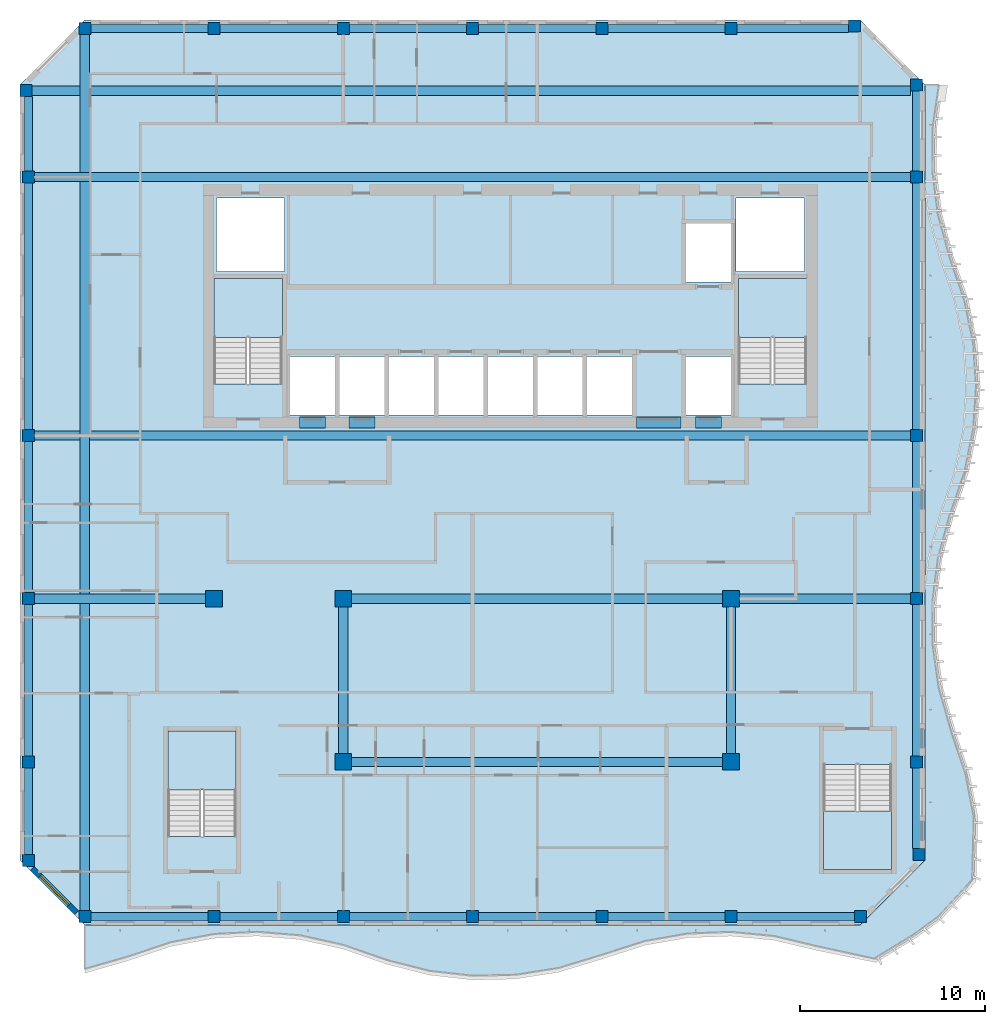
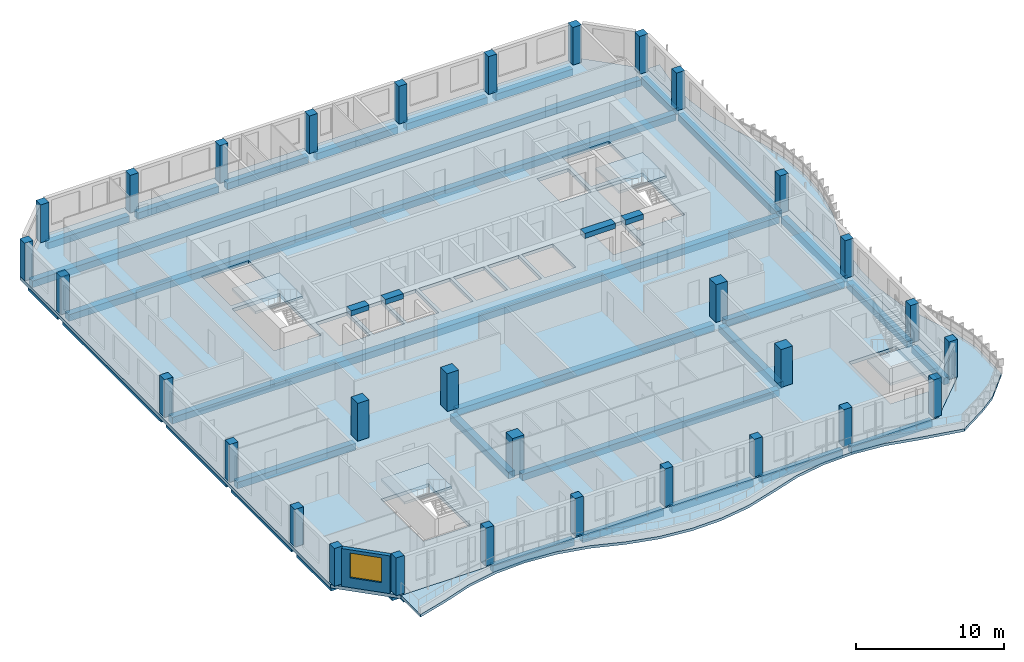
# One storey, part 1 of 18: 36 beams, 31 columns, 6 slabs, 1 wall, 1 window, 1 opening, 4 elements without a shape of their own.
"""IFC4 building model written with IfcOpenShell, lengths in metres."""

from ifc_helpers import new_model, si_unit, direction, frame, frame_2d, origin, origin_2d, place, context, subcontext, project, spatial, polyline, rectangle, outline, extrude, source, transform, mapped, material, layer, layer_set, material_profile, profile_set, type_object, element, fill, aggregate, save


model = new_model("IFC4")

# Units and contexts
model_context = context("Model", 3, precision=1e-05, world=origin(), true_north=direction((0.0, 1.0)))
body_context = subcontext(model_context, "Body", "Model", "MODEL_VIEW")
ifc_project = project(units=[si_unit("LENGTHUNIT", "METRE"), si_unit("AREAUNIT", "SQUARE_METRE"), si_unit("VOLUMEUNIT", "CUBIC_METRE"), si_unit("PLANEANGLEUNIT", "RADIAN"), si_unit("MASSUNIT", "GRAM", prefix="KILO")], contexts=[model_context])

# Site, building, storey
site_placement = place(None, origin())
site = spatial("IfcSite", under=ifc_project, at=site_placement, CompositionType="ELEMENT")
building_placement = place(site_placement, origin())
building = spatial("IfcBuilding", under=site, at=building_placement, Name="Kilnfold Tower and Market Hall", CompositionType="ELEMENT")
storey_placement = place(building_placement, frame((0.0, 0.0, 280.60009765625)))
storey = spatial("IfcBuildingStorey", under=building, at=storey_placement, Name="L69", CompositionType="ELEMENT", Elevation=280.60009765625)

# Columns
ifc_material_1 = material(Name="Concrete C60", Category="concrete")
ifc_material_profile_1 = material_profile(ifc_material_1, rectangle(XDim=0.64990234375, YDim=0.64990234375, at=origin_2d()), Name="RC 650x650")
ifc_profile_set_1 = profile_set([ifc_material_profile_1], Name="Concrete C60")
column_type_1 = type_object("IfcColumnType", Name="COLUMN 650X650 C60", PredefinedType="COLUMN", material=ifc_profile_set_1)
shared_shape_1 = source(origin(), body_context, "Body", "SweptSolid", [
    extrude(rectangle(XDim=0.64990234375, YDim=0.64990234375, at=origin_2d()), origin(), (0.0, 0.0, 1.0), 3.119873046875),
])
for number, where, z_axis, x_axis, name in (
    (1, (-25.181884765625, 26.681884765625, 0.0), (0.0, 0.0, 1.0), (1.0, 0.0, 0.0), "Column C-B8-1G"),
    (2, (-25.050048828125, -15.0, 0.0), (0.0, 0.0, 1.0), (1.0, 0.0, 0.0), "Column C-B8-1B"),
    (3, (-25.050048828125, -9.666748046875, 0.0), (0.0, 0.0, 1.0), (1.0, 0.0, 0.0), "Column C-B8-1C"),
    (4, (-25.050048828125, -0.833251953125, 0.0), (0.0, 0.0, 1.0), (1.0, 0.0, 0.0), "Column C-B8-1D"),
    (5, (-25.050048828125, 8.0, 0.0), (0.0, 0.0, 1.0), (1.0, 0.0, 0.0), "Column C-B8-1E"),
    (6, (-25.050048828125, 22.0, 0.0), (0.0, 0.0, 1.0), (1.0, 0.0, 0.0), "Column C-B8-1F"),
    (7, (-22.0, -18.050048828125, 0.0), (0.0, 0.0, 1.0), (1.0, 0.0, 0.0), "Column C-B8-2A"),
    (8, (-22.0, 30.050048828125, 0.0), (0.0, 0.0, 1.0), (1.0, 0.0, 0.0), "Column C-B8-2H"),
    (9, (-15.0, -18.050048828125, 0.0), (0.0, 0.0, 1.0), (1.0, 0.0, 0.0), "Column C-B8-3A"),
    (10, (-15.0, 30.050048828125, 0.0), (0.0, 0.0, 1.0), (1.0, 0.0, 0.0), "Column C-B8-3H"),
    (11, (-8.0, -18.050048828125, 0.0), (0.0, 0.0, 1.0), (1.0, 0.0, 0.0), "Column C-B8-4A"),
    (12, (-8.0, 30.050048828125, 0.0), (0.0, 0.0, 1.0), (1.0, 0.0, 0.0), "Column C-B8-4H"),
    (13, (-1.0, -18.050048828125, 0.0), (0.0, 0.0, 1.0), (1.0, 0.0, 0.0), "Column C-B8-5A"),
    (14, (-1.0, 30.050048828125, 0.0), (0.0, 0.0, 1.0), (1.0, 0.0, 0.0), "Column C-B8-5H"),
    (15, (6.0, -18.050048828125, 0.0), (0.0, 0.0, 1.0), (1.0, 0.0, 0.0), "Column C-B8-6A"),
    (16, (6.0, 30.050048828125, 0.0), (0.0, 0.0, 1.0), (1.0, 0.0, 0.0), "Column C-B8-6H"),
    (17, (13.0, -18.050048828125, 0.0), (0.0, 0.0, 1.0), (1.0, 0.0, 0.0), "Column C-B8-7A"),
    (18, (13.0, 30.050048828125, 0.0), (0.0, 0.0, 1.0), (1.0, 0.0, 0.0), "Column C-B8-7H"),
    (19, (19.681884765625, 30.181884765625, 0.0), (0.0, 0.0, 1.0), (1.0, 0.0, 0.0), "Column C-B8-8H"),
    (20, (20.0, -18.050048828125, 0.0), (0.0, 0.0, 1.0), (1.0, 0.0, 0.0), "Column C-B8-8A"),
    (21, (23.050048828125, -9.666748046875, 0.0), (0.0, 0.0, 1.0), (1.0, 0.0, 0.0), "Column C-B8-9C"),
    (22, (23.050048828125, -0.833251953125, 0.0), (0.0, 0.0, 1.0), (1.0, 0.0, 0.0), "Column C-B8-9D"),
    (23, (23.050048828125, 8.0, 0.0), (0.0, 0.0, 1.0), (1.0, 0.0, 0.0), "Column C-B8-9E"),
    (24, (23.050048828125, 22.0, 0.0), (0.0, 0.0, 1.0), (1.0, 0.0, 0.0), "Column C-B8-9F"),
    (25, (23.050048828125, 27.0, 0.0), (0.0, 0.0, 1.0), (1.0, 0.0, 0.0), "Column C-B8-9G"),
    (26, (23.181884765625, -14.681884765625, 0.0), (0.0, 0.0, 1.0), (1.0, 0.0, 0.0), "Column C-B8-9B"),
):
    element("IfcColumn", number, at=place(storey_placement, frame(where, z_axis=z_axis, x_axis=x_axis)), inside=storey, type_object=column_type_1, Name=name, PredefinedType="COLUMN", context=body_context, shape_type="MappedRepresentation", body=[
        mapped(shared_shape_1, transform((0.0, 0.0, 0.0))),
    ])
ifc_material_2 = material(Name="Concrete C60", Category="concrete")
ifc_material_profile_2 = material_profile(ifc_material_2, rectangle(XDim=0.89990234375, YDim=0.89990234375, at=origin_2d()), Name="RC 900x900")
ifc_profile_set_2 = profile_set([ifc_material_profile_2], Name="Concrete C60")
column_type_2 = type_object("IfcColumnType", Name="COLUMN 900X900 C60", PredefinedType="COLUMN", material=ifc_profile_set_2)
shared_shape_2 = source(origin(), body_context, "Body", "SweptSolid", [
    extrude(rectangle(XDim=0.89990234375, YDim=0.89990234375, at=origin_2d()), origin(), (0.0, 0.0, 1.0), 3.119873046875),
])
for number, where, z_axis, x_axis, name in (
    (27, (-15.0, -0.833251953125, 0.0), (0.0, 0.0, 1.0), (1.0, 0.0, 0.0), "Column C-B8-3D"),
    (28, (-8.0, -9.666748046875, 0.0), (0.0, 0.0, 1.0), (1.0, 0.0, 0.0), "Column C-B8-4C"),
    (29, (-8.0, -0.833251953125, 0.0), (0.0, 0.0, 1.0), (1.0, 0.0, 0.0), "Column C-B8-4D"),
    (30, (13.0, -9.666748046875, 0.0), (0.0, 0.0, 1.0), (1.0, 0.0, 0.0), "Column C-B8-7C"),
    (31, (13.0, -0.833251953125, 0.0), (0.0, 0.0, 1.0), (1.0, 0.0, 0.0), "Column C-B8-7D"),
):
    element("IfcColumn", number, at=place(storey_placement, frame(where, z_axis=z_axis, x_axis=x_axis)), inside=storey, type_object=column_type_2, Name=name, PredefinedType="COLUMN", context=body_context, shape_type="MappedRepresentation", body=[
        mapped(shared_shape_2, transform((0.0, 0.0, 0.0))),
    ])

# Beams
ifc_material_3 = material(Name="Concrete C50", Category="concrete")
ifc_material_profile_3 = material_profile(ifc_material_3, rectangle(XDim=0.60009765625, YDim=0.419921875, at=origin_2d()), Name="RC 600x420")
ifc_profile_set_3 = profile_set([ifc_material_profile_3], Name="Concrete C50")
beam_type_1 = type_object("IfcBeamType", Name="COUPLING BEAM 600X420 C50", PredefinedType="BEAM", material=ifc_profile_set_3)
shared_shape_3 = source(origin(), body_context, "Body", "SweptSolid", [
    extrude(rectangle(XDim=0.60009765625, YDim=0.419921875, at=origin_2d()), origin(), (0.0, 0.0, 1.0), 1.400146484375),
])
beam_1_placement = place(storey_placement, frame((-10.3701171875, 8.699951171875, 2.909912109375), z_axis=(1.0, 0.0, 0.0), x_axis=(0.0, 1.0, 0.0)))
element("IfcBeam", 32, at=beam_1_placement, inside=storey, type_object=beam_type_1, Name="Coupling beam CB420-50-CORE.30", PredefinedType="BEAM", context=body_context, shape_type="MappedRepresentation", body=[
    mapped(shared_shape_3, transform((0.0, 0.0, 0.0))),
])
shared_shape_4 = source(origin(), body_context, "Body", "SweptSolid", [
    extrude(rectangle(XDim=0.60009765625, YDim=0.419921875, at=origin_2d()), origin(), (0.0, 0.0, 1.0), 1.39990234375),
])
for number, where, z_axis, x_axis, name in (
    (33, (-7.68994140625, 8.699951171875, 2.909912109375), (1.0, 0.0, 0.0), (0.0, 1.0, 0.0), "Coupling beam CB420-50-CORE.31"),
    (34, (11.070068359375, 8.699951171875, 2.909912109375), (1.0, 0.0, 0.0), (0.0, 1.0, 0.0), "Coupling beam CB420-50-CORE.33"),
):
    element("IfcBeam", number, at=place(storey_placement, frame(where, z_axis=z_axis, x_axis=x_axis)), inside=storey, type_object=beam_type_1, Name=name, PredefinedType="BEAM", context=body_context, shape_type="MappedRepresentation", body=[
        mapped(shared_shape_4, transform((0.0, 0.0, 0.0))),
    ])
shared_shape_5 = source(origin(), body_context, "Body", "SweptSolid", [
    extrude(rectangle(XDim=0.60009765625, YDim=0.419921875, at=origin_2d()), origin(), (0.0, 0.0, 1.0), 2.400146484375),
])
beam_2_placement = place(storey_placement, frame((7.889892578125, 8.699951171875, 2.909912109375), z_axis=(1.0, 0.0, 0.0), x_axis=(0.0, 1.0, 0.0)))
element("IfcBeam", 35, at=beam_2_placement, inside=storey, type_object=beam_type_1, Name="Coupling beam CB420-50-CORE.32", PredefinedType="BEAM", context=body_context, shape_type="MappedRepresentation", body=[
    mapped(shared_shape_5, transform((0.0, 0.0, 0.0))),
])
ifc_material_4 = material(Name="Concrete C45", Category="concrete")
ifc_material_profile_4 = material_profile(ifc_material_4, rectangle(XDim=0.449951171875, YDim=0.550048828125, at=origin_2d()), Name="RC 450x550")
ifc_profile_set_4 = profile_set([ifc_material_profile_4], Name="Concrete C45")
beam_type_2 = type_object("IfcBeamType", Name="EDGE BEAM 450X550 C45", PredefinedType="BEAM", material=ifc_profile_set_4)
shared_shape_6 = source(origin(), body_context, "Body", "SweptSolid", [
    extrude(rectangle(XDim=0.449951171875, YDim=0.550048828125, at=origin_2d()), origin(), (0.0, 0.0, 1.0), 6.35009765625),
])
for number, where, z_axis, x_axis, name in (
    (36, (-21.675048828125, -18.050048828125, -0.55517578125), (1.0, 0.0, 0.0), (0.0, 1.0, 0.0), "Beam EB550-B8.31"),
    (37, (-14.675048828125, -18.050048828125, -0.55517578125), (1.0, 0.0, 0.0), (0.0, 1.0, 0.0), "Beam EB550-B8.32"),
    (38, (-7.675048828125, -18.050048828125, -0.55517578125), (1.0, 0.0, 0.0), (0.0, 1.0, 0.0), "Beam EB550-B8.33"),
    (39, (-0.675048828125, -18.050048828125, -0.55517578125), (1.0, 0.0, 0.0), (0.0, 1.0, 0.0), "Beam EB550-B8.34"),
    (40, (6.324951171875, -18.050048828125, -0.55517578125), (1.0, 0.0, 0.0), (0.0, 1.0, 0.0), "Beam EB550-B8.35"),
    (41, (13.324951171875, -18.050048828125, -0.55517578125), (1.0, 0.0, 0.0), (0.0, 1.0, 0.0), "Beam EB550-B8.36"),
    (42, (-21.675048828125, 30.050048828125, -0.55517578125), (1.0, 0.0, 0.0), (0.0, 1.0, 0.0), "Beam EB550-B8.44"),
    (43, (-14.675048828125, 30.050048828125, -0.55517578125), (1.0, 0.0, 0.0), (0.0, 1.0, 0.0), "Beam EB550-B8.45"),
    (44, (-7.675048828125, 30.050048828125, -0.55517578125), (1.0, 0.0, 0.0), (0.0, 1.0, 0.0), "Beam EB550-B8.46"),
    (45, (-0.675048828125, 30.050048828125, -0.55517578125), (1.0, 0.0, 0.0), (0.0, 1.0, 0.0), "Beam EB550-B8.47"),
    (46, (6.324951171875, 30.050048828125, -0.55517578125), (1.0, 0.0, 0.0), (0.0, 1.0, 0.0), "Beam EB550-B8.48"),
):
    element("IfcBeam", number, at=place(storey_placement, frame(where, z_axis=z_axis, x_axis=x_axis)), inside=storey, type_object=beam_type_2, Name=name, PredefinedType="BEAM", context=body_context, shape_type="MappedRepresentation", body=[
        mapped(shared_shape_6, transform((0.0, 0.0, 0.0))),
    ])
ifc_material_5 = material(Name="Concrete C45", Category="concrete")
ifc_material_profile_5 = material_profile(ifc_material_5, rectangle(XDim=0.5, YDim=0.550048828125, at=origin_2d()), Name="RC 500x550")
ifc_profile_set_5 = profile_set([ifc_material_profile_5], Name="Concrete C45")
beam_type_3 = type_object("IfcBeamType", Name="BEAM 500X550 C45", PredefinedType="BEAM", material=ifc_profile_set_5)
shared_shape_7 = source(origin(), body_context, "Body", "SweptSolid", [
    extrude(rectangle(XDim=0.5, YDim=0.550048828125, at=origin_2d()), origin(), (0.0, 0.0, 1.0), 20.10009765625),
])
for number, where, z_axis, x_axis, name in (
    (47, (-7.550048828125, -9.669921875, -0.55517578125), (1.0, 0.0, 0.0), (0.0, 1.0, 0.0), "Beam BB550-B8.37"),
    (48, (-7.550048828125, -0.830078125, -0.55517578125), (1.0, 0.0, 0.0), (0.0, 1.0, 0.0), "Beam BB550-B8.39"),
):
    element("IfcBeam", number, at=place(storey_placement, frame(where, z_axis=z_axis, x_axis=x_axis)), inside=storey, type_object=beam_type_3, Name=name, PredefinedType="BEAM", context=body_context, shape_type="MappedRepresentation", body=[
        mapped(shared_shape_7, transform((0.0, 0.0, 0.0))),
    ])
shared_shape_8 = source(origin(), body_context, "Body", "SweptSolid", [
    extrude(rectangle(XDim=0.5, YDim=0.550048828125, at=origin_2d()), origin(), (0.0, 0.0, 1.0), 9.275146484375),
])
for number, where, z_axis, x_axis, name in (
    (49, (-24.72509765625, -0.830078125, -0.55517578125), (1.0, 0.0, 0.0), (0.0, 1.0, 0.0), "Beam BB550-B8.38"),
    (50, (13.449951171875, -0.830078125, -0.55517578125), (1.0, 0.0, 0.0), (0.0, 1.0, 0.0), "Beam BB550-B8.40"),
):
    element("IfcBeam", number, at=place(storey_placement, frame(where, z_axis=z_axis, x_axis=x_axis)), inside=storey, type_object=beam_type_3, Name=name, PredefinedType="BEAM", context=body_context, shape_type="MappedRepresentation", body=[
        mapped(shared_shape_8, transform((0.0, 0.0, 0.0))),
    ])
shared_shape_9 = source(origin(), body_context, "Body", "SweptSolid", [
    extrude(rectangle(XDim=0.5, YDim=0.550048828125, at=origin_2d()), origin(), (0.0, 0.0, 1.0), 47.4501953125),
])
for number, where, z_axis, x_axis, name in (
    (51, (-24.72509765625, 8.0, -0.55517578125), (1.0, 0.0, 0.0), (0.0, 1.0, 0.0), "Beam BB550-B8.41"),
    (52, (-24.72509765625, 22.0, -0.55517578125), (1.0, 0.0, 0.0), (0.0, 1.0, 0.0), "Beam BB550-B8.42"),
    (53, (-22.0, -17.72509765625, -0.55517578125), (0.0, 1.0, 0.0), (-1.0, 0.0, 0.0), "Beam BB550-B8.55"),
):
    element("IfcBeam", number, at=place(storey_placement, frame(where, z_axis=z_axis, x_axis=x_axis)), inside=storey, type_object=beam_type_3, Name=name, PredefinedType="BEAM", context=body_context, shape_type="MappedRepresentation", body=[
        mapped(shared_shape_9, transform((0.0, 0.0, 0.0))),
    ])
shared_shape_10 = source(origin(), body_context, "Body", "SweptSolid", [
    extrude(rectangle(XDim=0.5, YDim=0.550048828125, at=origin_2d()), origin(), (0.0, 0.0, 1.0), 47.581787109375),
])
beam_3_placement = place(storey_placement, frame((-24.856689453125, 26.679931640625, -0.55517578125), z_axis=(1.0, 0.0, 0.0), x_axis=(0.0, 1.0, 0.0)))
element("IfcBeam", 54, at=beam_3_placement, inside=storey, type_object=beam_type_3, Name="Beam BB550-B8.43", PredefinedType="BEAM", context=body_context, shape_type="MappedRepresentation", body=[
    mapped(shared_shape_10, transform((0.0, 0.0, 0.0))),
])
shared_shape_11 = source(origin(), body_context, "Body", "SweptSolid", [
    extrude(rectangle(XDim=0.449951171875, YDim=0.550048828125, at=origin_2d()), origin(), (0.0, 0.0, 1.0), 6.03173828125),
])
beam_4_placement = place(storey_placement, frame((13.324951171875, 30.050048828125, -0.55517578125), z_axis=(1.0, 0.0, 0.0), x_axis=(0.0, 1.0, 0.0)))
element("IfcBeam", 55, at=beam_4_placement, inside=storey, type_object=beam_type_2, Name="Beam EB550-B8.49", PredefinedType="BEAM", context=body_context, shape_type="MappedRepresentation", body=[
    mapped(shared_shape_11, transform((0.0, 0.0, 0.0))),
])
shared_shape_12 = source(origin(), body_context, "Body", "SweptSolid", [
    extrude(rectangle(XDim=0.449951171875, YDim=0.550048828125, at=origin_2d()), origin(), (0.0, 0.0, 1.0), 4.683349609375),
])
beam_5_placement = place(storey_placement, frame((-25.050048828125, -14.675048828125, -0.55517578125), z_axis=(0.0, 1.0, 0.0), x_axis=(-1.0, 0.0, 0.0)))
element("IfcBeam", 56, at=beam_5_placement, inside=storey, type_object=beam_type_2, Name="Beam EB550-B8.50", PredefinedType="BEAM", context=body_context, shape_type="MappedRepresentation", body=[
    mapped(shared_shape_12, transform((0.0, 0.0, 0.0))),
])
shared_shape_13 = source(origin(), body_context, "Body", "SweptSolid", [
    extrude(rectangle(XDim=0.449951171875, YDim=0.550048828125, at=origin_2d()), origin(), (0.0, 0.0, 1.0), 8.18359375),
])
for number, where, z_axis, x_axis, name in (
    (57, (-25.050048828125, -9.341796875, -0.55517578125), (0.0, 1.0, 0.0), (-1.0, 0.0, 0.0), "Beam EB550-B8.51"),
    (58, (23.050048828125, -9.341796875, -0.55517578125), (0.0, 1.0, 0.0), (-1.0, 0.0, 0.0), "Beam EB550-B8.57"),
):
    element("IfcBeam", number, at=place(storey_placement, frame(where, z_axis=z_axis, x_axis=x_axis)), inside=storey, type_object=beam_type_2, Name=name, PredefinedType="BEAM", context=body_context, shape_type="MappedRepresentation", body=[
        mapped(shared_shape_13, transform((0.0, 0.0, 0.0))),
    ])
shared_shape_14 = source(origin(), body_context, "Body", "SweptSolid", [
    extrude(rectangle(XDim=0.449951171875, YDim=0.550048828125, at=origin_2d()), origin(), (0.0, 0.0, 1.0), 8.183349609375),
])
for number, where, z_axis, x_axis, name in (
    (59, (-25.050048828125, -0.50830078125, -0.55517578125), (0.0, 1.0, 0.0), (-1.0, 0.0, 0.0), "Beam EB550-B8.52"),
    (60, (23.050048828125, -0.50830078125, -0.55517578125), (0.0, 1.0, 0.0), (-1.0, 0.0, 0.0), "Beam EB550-B8.58"),
):
    element("IfcBeam", number, at=place(storey_placement, frame(where, z_axis=z_axis, x_axis=x_axis)), inside=storey, type_object=beam_type_2, Name=name, PredefinedType="BEAM", context=body_context, shape_type="MappedRepresentation", body=[
        mapped(shared_shape_14, transform((0.0, 0.0, 0.0))),
    ])
shared_shape_15 = source(origin(), body_context, "Body", "SweptSolid", [
    extrude(rectangle(XDim=0.449951171875, YDim=0.550048828125, at=origin_2d()), origin(), (0.0, 0.0, 1.0), 13.35009765625),
])
for number, where, z_axis, x_axis, name in (
    (61, (-25.050048828125, 8.324951171875, -0.55517578125), (0.0, 1.0, 0.0), (-1.0, 0.0, 0.0), "Beam EB550-B8.53"),
    (62, (23.050048828125, 8.324951171875, -0.55517578125), (0.0, 1.0, 0.0), (-1.0, 0.0, 0.0), "Beam EB550-B8.59"),
):
    element("IfcBeam", number, at=place(storey_placement, frame(where, z_axis=z_axis, x_axis=x_axis)), inside=storey, type_object=beam_type_2, Name=name, PredefinedType="BEAM", context=body_context, shape_type="MappedRepresentation", body=[
        mapped(shared_shape_15, transform((0.0, 0.0, 0.0))),
    ])
shared_shape_16 = source(origin(), body_context, "Body", "SweptSolid", [
    extrude(rectangle(XDim=0.449951171875, YDim=0.550048828125, at=origin_2d()), origin(), (0.0, 0.0, 1.0), 4.03173828125),
])
beam_6_placement = place(storey_placement, frame((-25.050048828125, 22.324951171875, -0.55517578125), z_axis=(0.0, 1.0, 0.0), x_axis=(-1.0, 0.0, 0.0)))
element("IfcBeam", 63, at=beam_6_placement, inside=storey, type_object=beam_type_2, Name="Beam EB550-B8.54", PredefinedType="BEAM", context=body_context, shape_type="MappedRepresentation", body=[
    mapped(shared_shape_16, transform((0.0, 0.0, 0.0))),
])
shared_shape_17 = source(origin(), body_context, "Body", "SweptSolid", [
    extrude(rectangle(XDim=0.5, YDim=0.550048828125, at=origin_2d()), origin(), (0.0, 0.0, 1.0), 7.93359375),
])
for number, where, z_axis, x_axis, name in (
    (64, (-8.0, -9.216796875, -0.55517578125), (0.0, 1.0, 0.0), (-1.0, 0.0, 0.0), "Beam BB550-B8.24"),
    (65, (13.0, -9.216796875, -0.55517578125), (0.0, 1.0, 0.0), (-1.0, 0.0, 0.0), "Beam BB550-B8.25"),
):
    element("IfcBeam", number, at=place(storey_placement, frame(where, z_axis=z_axis, x_axis=x_axis)), inside=storey, type_object=beam_type_3, Name=name, PredefinedType="BEAM", context=body_context, shape_type="MappedRepresentation", body=[
        mapped(shared_shape_17, transform((0.0, 0.0, 0.0))),
    ])
shared_shape_18 = source(origin(), body_context, "Body", "SweptSolid", [
    extrude(rectangle(XDim=0.449951171875, YDim=0.550048828125, at=origin_2d()), origin(), (0.0, 0.0, 1.0), 4.364990234375),
])
beam_7_placement = place(storey_placement, frame((23.050048828125, -14.356689453125, -0.55517578125), z_axis=(0.0, 1.0, 0.0), x_axis=(-1.0, 0.0, 0.0)))
element("IfcBeam", 66, at=beam_7_placement, inside=storey, type_object=beam_type_2, Name="Beam EB550-B8.56", PredefinedType="BEAM", context=body_context, shape_type="MappedRepresentation", body=[
    mapped(shared_shape_18, transform((0.0, 0.0, 0.0))),
])
shared_shape_19 = source(origin(), body_context, "Body", "SweptSolid", [
    extrude(rectangle(XDim=0.449951171875, YDim=0.550048828125, at=origin_2d()), origin(), (0.0, 0.0, 1.0), 4.35009765625),
])
beam_8_placement = place(storey_placement, frame((23.050048828125, 22.324951171875, -0.55517578125), z_axis=(0.0, 1.0, 0.0), x_axis=(-1.0, 0.0, 0.0)))
element("IfcBeam", 67, at=beam_8_placement, inside=storey, type_object=beam_type_2, Name="Beam EB550-B8.60", PredefinedType="BEAM", context=body_context, shape_type="MappedRepresentation", body=[
    mapped(shared_shape_19, transform((0.0, 0.0, 0.0))),
])

# Slabs
ifc_material_6 = material(Name="Concrete C45", Category="concrete")
ifc_layer_1 = layer(ifc_material_6, 0.280029296875)
ifc_layer_set_1 = layer_set([ifc_layer_1], Name="Concrete C45")
slab_type_1 = type_object("IfcSlabType", Name="FLOOR SLAB 280", PredefinedType="FLOOR", material=ifc_layer_set_1)
shared_shape_20 = source(origin(), body_context, "Body", "SweptSolid", [
    extrude(outline(polyline([(-22.0, -18.5), (20.0, -18.5), (23.5, -15.0), (23.5, 27.0), (20.0, 30.5), (-22.0, 30.5), (-25.5, 27.0), (-25.5, -15.0), (-22.0, -18.5)]), holes=[polyline([(-13.800537109375, -8.00048828125), (-13.800537109375, -13.699462890625), (-17.49951171875, -13.699462890625), (-17.49951171875, -8.00048828125), (-13.800537109375, -8.00048828125)]), polyline([(-11.300537109375, 10.800537109375), (-14.99951171875, 10.800537109375), (-14.99951171875, 16.49951171875), (-11.300537109375, 16.49951171875), (-11.300537109375, 10.800537109375)]), polyline([(-11.175048828125, 16.875), (-14.875, 16.875), (-14.875, 20.875), (-11.175048828125, 20.875), (-11.175048828125, 16.875)]), polyline([(-8.455078125, 9.125), (-10.885009765625, 9.125), (-10.885009765625, 12.27490234375), (-8.455078125, 12.27490234375), (-8.455078125, 9.125)]), polyline([(-5.77490234375, 9.125), (-8.205078125, 9.125), (-8.205078125, 12.27490234375), (-5.77490234375, 12.27490234375), (-5.77490234375, 9.125)]), polyline([(-3.094970703125, 9.125), (-5.52490234375, 9.125), (-5.52490234375, 12.27490234375), (-3.094970703125, 12.27490234375), (-3.094970703125, 9.125)]), polyline([(-0.4150390625, 9.125), (-2.844970703125, 9.125), (-2.844970703125, 12.27490234375), (-0.4150390625, 12.27490234375), (-0.4150390625, 9.125)]), polyline([(2.264892578125, 9.125), (-0.1650390625, 9.125), (-0.1650390625, 12.27490234375), (2.264892578125, 12.27490234375), (2.264892578125, 9.125)]), polyline([(4.945068359375, 9.125), (2.514892578125, 9.125), (2.514892578125, 12.27490234375), (4.945068359375, 12.27490234375), (4.945068359375, 9.125)]), polyline([(7.625, 9.125), (5.195068359375, 9.125), (5.195068359375, 12.27490234375), (7.625, 12.27490234375), (7.625, 9.125)]), polyline([(12.985107421875, 9.125), (10.554931640625, 9.125), (10.554931640625, 12.27490234375), (12.985107421875, 12.27490234375), (12.985107421875, 9.125)]), polyline([(12.985107421875, 16.324951171875), (10.554931640625, 16.324951171875), (10.554931640625, 19.47509765625), (12.985107421875, 19.47509765625), (12.985107421875, 16.324951171875)]), polyline([(16.97509765625, 16.875), (13.27490234375, 16.875), (13.27490234375, 20.875), (16.97509765625, 20.875), (16.97509765625, 16.875)]), polyline([(17.099609375, 10.800537109375), (13.400390625, 10.800537109375), (13.400390625, 16.49951171875), (17.099609375, 16.49951171875), (17.099609375, 10.800537109375)]), polyline([(18.00048828125, -9.800537109375), (21.699462890625, -9.800537109375), (21.699462890625, -15.49951171875), (18.00048828125, -15.49951171875), (18.00048828125, -9.800537109375)])]), origin(), (0.0, 0.0, 1.0), 0.280029296875),
])
slab_1_placement = place(storey_placement, frame((0.0, 0.0, -0.280029296875)))
element("IfcSlab", 68, at=slab_1_placement, inside=storey, type_object=slab_type_1, Name="Floor slab L69", PredefinedType="FLOOR", context=body_context, shape_type="MappedRepresentation", body=[
    mapped(shared_shape_20, transform((0.0, 0.0, 0.0))),
])
ifc_material_7 = material(Name="Concrete C40/50", Category="concrete")
ifc_layer_2 = layer(ifc_material_7, 0.219970703125)
ifc_layer_set_2 = layer_set([ifc_layer_2], Name="Concrete C40/50")
slab_type_2 = type_object("IfcSlabType", Name="BALCONY SLAB 220", PredefinedType="FLOOR", material=ifc_layer_set_2)
shared_shape_21 = source(origin(), body_context, "Body", "SweptSolid", [
    extrude(outline(polyline([(-22.0, -18.5), (20.0, -18.5), (23.5, -15.0), (23.5, 27.0), (24.482421875, 27.0), (24.1484375, 24.666748046875), (24.130859375, 22.333251953125), (24.428955078125, 20.0), (25.059814453125, 17.666748046875), (25.862060546875, 15.333251953125), (26.34228515625, 13.0), (26.5, 10.666748046875), (26.343505859375, 8.333251953125), (25.864501953125, 6.0), (25.06298828125, 3.666748046875), (24.4306640625, 1.333251953125), (24.13134765625, -1.0), (24.147705078125, -3.333251953125), (24.480712890625, -5.666748046875), (25.1494140625, -8.0), (25.930419921875, -10.333251953125), (26.374755859375, -12.666748046875), (26.27001953125, -16.1474609375), (24.38134765625, -18.214599609375), (23.02978515625, -19.1962890625), (20.844482421875, -20.53857421875), (17.666748046875, -19.88671875), (15.333251953125, -19.33349609375), (13.0, -19.107421875), (10.666748046875, -19.19580078125), (8.333251953125, -19.603515625), (6.0, -20.35302734375), (3.666748046875, -21.061767578125), (1.333251953125, -21.430908203125), (-1.0, -21.482421875), (-3.333251953125, -21.218994140625), (-5.666748046875, -20.62548828125), (-8.0, -19.810302734375), (-10.333251953125, -19.293701171875), (-12.666748046875, -19.101806640625), (-15.0, -19.22412109375), (-17.333251953125, -19.66748046875), (-19.666748046875, -20.447265625), (-22.0, -21.117431640625), (-22.0, -18.5)])), origin(), (0.0, 0.0, 1.0), 0.22021484375),
])
slab_2_placement = place(storey_placement, frame((0.0, 0.0, -0.22021484375)))
element("IfcSlab", 69, at=slab_2_placement, inside=storey, type_object=slab_type_2, Name="Balcony slab L69", PredefinedType="FLOOR", context=body_context, shape_type="MappedRepresentation", body=[
    mapped(shared_shape_21, transform((0.0, 0.0, 0.0))),
])

# Stair, slab
ifc_material_8 = material(Name="Concrete C40/50", Category="concrete")
stair_type = type_object("IfcStairType", Name="CORE STAIR 1800", PredefinedType="HALF_TURN_STAIR", material=ifc_material_8)
stair_1_placement = place(storey_placement, origin())
stair_1 = element("IfcStair", 70, at=stair_1_placement, inside=storey, type_object=stair_type, Name="L69 ST1", PredefinedType="HALF_TURN_STAIR")
ifc_material_9 = material(Name="Concrete C40/50", Category="concrete")
ifc_layer_3 = layer(ifc_material_9, 0.199951171875)
ifc_layer_set_3 = layer_set([ifc_layer_3], Name="Concrete C40/50")
slab_type_3 = type_object("IfcSlabType", Name="CORE STAIR LANDING 200", PredefinedType="LANDING", material=ifc_layer_set_3)
shared_shape_22 = source(origin(), body_context, "Body", "SweptSolid", [
    extrude(outline(polyline([(-11.300048828125, 13.320068359375), (-11.300048828125, 16.5), (-15.0, 16.5), (-15.0, 13.320068359375), (-11.300048828125, 13.320068359375)])), origin(), (0.0, 0.0, 1.0), 0.199951171875),
])
slab_3_placement = place(storey_placement, frame((0.0, 0.0, 1.5)))
slab_3 = element("IfcSlab", 71, at=slab_3_placement, type_object=slab_type_3, Name="ST1 landing 1", PredefinedType="LANDING", context=body_context, shape_type="MappedRepresentation", body=[
    mapped(shared_shape_22, transform((0.0, 0.0, 0.0))),
])
aggregate(stair_1, [slab_3])

stair_2_placement = place(storey_placement, origin())
stair_2 = element("IfcStair", 72, at=stair_2_placement, inside=storey, type_object=stair_type, Name="L69 ST2", PredefinedType="HALF_TURN_STAIR")
shared_shape_23 = source(origin(), body_context, "Body", "SweptSolid", [
    extrude(outline(polyline([(17.10009765625, 13.320068359375), (17.10009765625, 16.5), (13.39990234375, 16.5), (13.39990234375, 13.320068359375), (17.10009765625, 13.320068359375)])), origin(), (0.0, 0.0, 1.0), 0.199951171875),
])
slab_4_placement = place(storey_placement, frame((0.0, 0.0, 1.5)))
slab_4 = element("IfcSlab", 73, at=slab_4_placement, type_object=slab_type_3, Name="ST2 landing 1", PredefinedType="LANDING", context=body_context, shape_type="MappedRepresentation", body=[
    mapped(shared_shape_23, transform((0.0, 0.0, 0.0))),
])
aggregate(stair_2, [slab_4])

stair_3_placement = place(storey_placement, origin())
stair_3 = element("IfcStair", 74, at=stair_3_placement, inside=storey, type_object=stair_type, Name="L69 ST3", PredefinedType="HALF_TURN_STAIR")
shared_shape_24 = source(origin(), body_context, "Body", "SweptSolid", [
    extrude(outline(polyline([(-13.800048828125, -11.179931640625), (-13.800048828125, -8.0), (-17.5, -8.0), (-17.5, -11.179931640625), (-13.800048828125, -11.179931640625)])), origin(), (0.0, 0.0, 1.0), 0.199951171875),
])
slab_5_placement = place(storey_placement, frame((0.0, 0.0, 1.5)))
slab_5 = element("IfcSlab", 75, at=slab_5_placement, type_object=slab_type_3, Name="ST3 landing 1", PredefinedType="LANDING", context=body_context, shape_type="MappedRepresentation", body=[
    mapped(shared_shape_24, transform((0.0, 0.0, 0.0))),
])
aggregate(stair_3, [slab_5])

stair_4_placement = place(storey_placement, origin())
stair_4 = element("IfcStair", 76, at=stair_4_placement, inside=storey, type_object=stair_type, Name="L69 ST4", PredefinedType="HALF_TURN_STAIR")
shared_shape_25 = source(origin(), body_context, "Body", "SweptSolid", [
    extrude(outline(polyline([(18.0, -12.320068359375), (18.0, -15.5), (21.699951171875, -15.5), (21.699951171875, -12.320068359375), (18.0, -12.320068359375)])), origin(), (0.0, 0.0, 1.0), 0.199951171875),
])
slab_6_placement = place(storey_placement, frame((0.0, 0.0, 1.5)))
slab_6 = element("IfcSlab", 77, at=slab_6_placement, type_object=slab_type_3, Name="ST4 landing 1", PredefinedType="LANDING", context=body_context, shape_type="MappedRepresentation", body=[
    mapped(shared_shape_25, transform((0.0, 0.0, 0.0))),
])
aggregate(stair_4, [slab_6])

# Wall, opening, window
ifc_material_10 = material(Name="Precast concrete C50/60", Category="concrete")
ifc_layer_4 = layer(ifc_material_10, 0.300048828125)
ifc_layer_set_4 = layer_set([ifc_layer_4], Name="Precast concrete C50/60")
wall_type = type_object("IfcWallType", Name="PRECAST WALL 300", PredefinedType="SOLIDWALL", material=ifc_layer_set_4)
shared_shape_26 = source(origin(), body_context, "Body", "SweptSolid", [
    extrude(rectangle(XDim=3.39404296875, YDim=0.300048828125, at=frame_2d((1.697021484375, 0.0))), origin(), (0.0, 0.0, 1.0), 3.119873046875),
])
wall_placement = place(storey_placement, frame((-24.843994140625, -15.44384765625, 0.0), z_axis=(0.0, 0.0, 1.0), x_axis=(0.707070815327, -0.707142745217, 0.0)))
wall = element("IfcWall", 78, at=wall_placement, inside=storey, type_object=wall_type, Name="External wall L69 SW", PredefinedType="SOLIDWALL", context=body_context, shape_type="MappedRepresentation", body=[
    mapped(shared_shape_26, transform((0.0, 0.0, 0.0))),
])
opening_placement = place(wall_placement, frame((0.596923828125, 0.0, 0.800048828125)))
opening = element("IfcOpeningElement", 79, at=opening_placement, cuts=wall, Name="Opening W3", PredefinedType="OPENING", context=body_context, shape_type="SweptSolid", body=[
    extrude(rectangle(XDim=2.199951171875, YDim=2.050048828125, at=frame_2d((1.10009765625, 1.02490234375))), frame((0.0, 0.16015625, 0.0), z_axis=(0.0, -1.0, 0.0), x_axis=(1.0, 0.0, 0.0)), (0.0, 0.0, 1.0), 0.320068359375),
])
ifc_material_11 = material(Name="Aluminium frame and double glazing", Category="aluminium")
window_type = type_object("IfcWindowType", Name="WINDOW W3 2200X2050", PartitioningType="SINGLE_PANEL", PredefinedType="WINDOW", material=ifc_material_11)
window_placement = place(opening_placement, origin())
window = element("IfcWindow", 80, at=window_placement, inside=storey, type_object=window_type, Name="Window W3 L69 SW-1", OverallHeight=2.050048828125, OverallWidth=2.199951171875, PartitioningType="SINGLE_PANEL", PredefinedType="WINDOW", context=body_context, shape_type="SweptSolid", body=[
    extrude(rectangle(XDim=2.199951171875, YDim=2.050048828125, at=frame_2d((1.10009765625, 1.02490234375))), frame((0.0, 0.030029296875, 0.0), z_axis=(0.0, -1.0, 0.0), x_axis=(1.0, 0.0, 0.0)), (0.0, 0.0, 1.0), 0.06005859375),
])
fill(opening, window)

save(model, "model.ifc")
